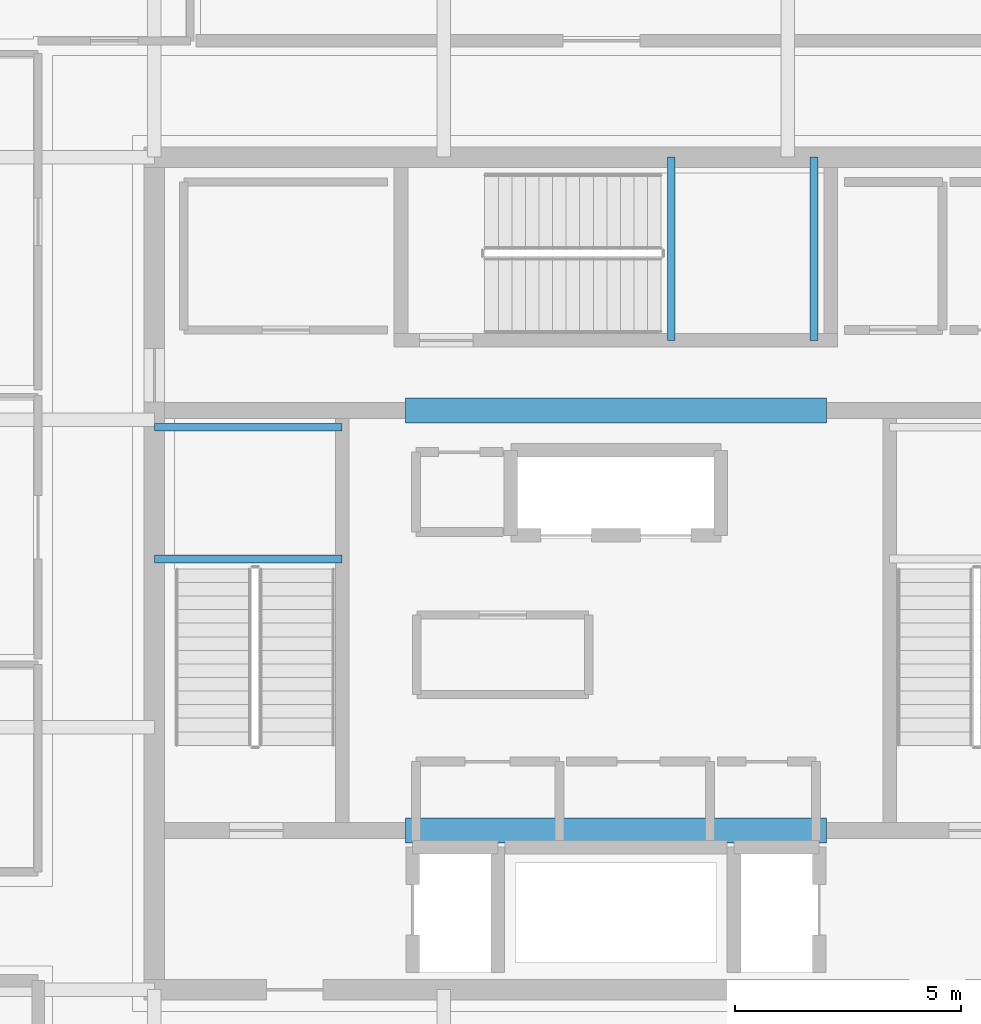
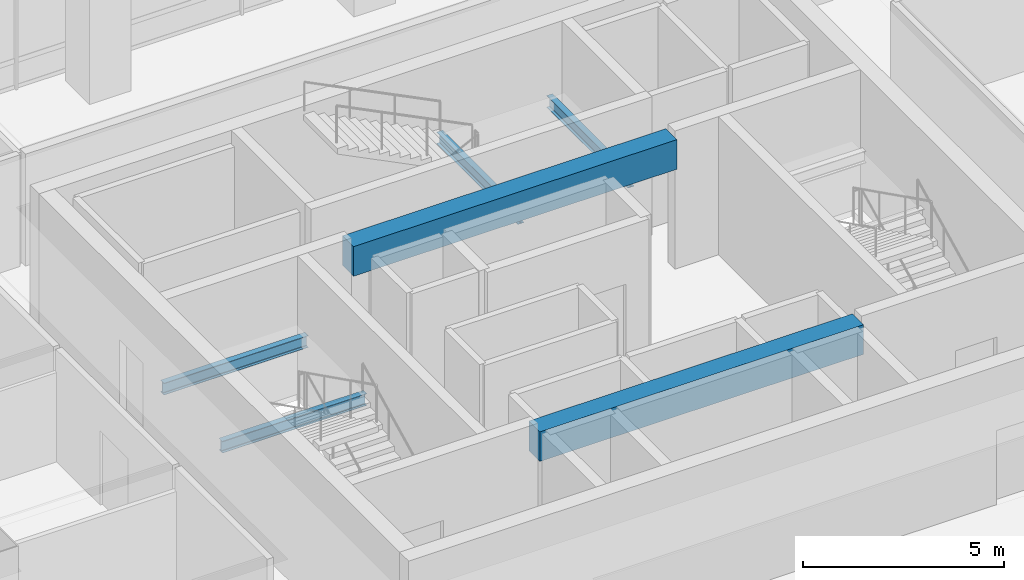
# One storey, part 15 of 42: 6 beams.
"""IFC4 building model written with IfcOpenShell, lengths in metres."""

from ifc_helpers import new_model, si_unit, direction, frame, origin, origin_2d, place, context, subcontext, project, spatial, rectangle, i_section, extrude, material, material_profile, profile_set, type_object, element, save


model = new_model("IFC4")

# Units and contexts
model_context = context("Model", 3, precision=1e-05, world=origin(), true_north=direction((0.0, 1.0)))
body_context = subcontext(model_context, "Body", "Model", "MODEL_VIEW")
ifc_project = project(units=[si_unit("LENGTHUNIT", "METRE"), si_unit("AREAUNIT", "SQUARE_METRE"), si_unit("VOLUMEUNIT", "CUBIC_METRE"), si_unit("PLANEANGLEUNIT", "RADIAN"), si_unit("MASSUNIT", "GRAM", prefix="KILO")], contexts=[model_context])

# Site, building, storey
site_placement = place(None, origin())
site = spatial("IfcSite", under=ifc_project, at=site_placement, CompositionType="ELEMENT")
building_placement = place(site_placement, origin())
building = spatial("IfcBuilding", under=site, at=building_placement, Name="Punatoya Terracotta Tower", CompositionType="ELEMENT")
storey_placement = place(building_placement, frame((0.0, 0.0, 325.800048828125)))
storey = spatial("IfcBuildingStorey", under=building, at=storey_placement, Name="L77", CompositionType="ELEMENT", Elevation=325.800048828125)

# Beams
ifc_material_1 = material(Name="Concrete C50/60", Category="concrete")
ifc_material_profile_1 = material_profile(ifc_material_1, rectangle(XDim=0.550048828125, YDim=0.89990234375, at=origin_2d()))
ifc_profile_set_1 = profile_set([ifc_material_profile_1], Name="Concrete C50/60")
beam_type_1 = type_object("IfcBeamType", Name="BM-RC-900", PredefinedType="LINTEL", material=ifc_profile_set_1)
for number, where, z_axis, x_axis, name in (
    (1, (-4.64990234375, -5.679931640625, 3.550048828125), (1.0, 0.0, 0.0), (0.0, 1.0, 0.0), "L77 Core Coupling Lintel CSW"),
    (2, (-4.64990234375, 3.60009765625, 3.550048828125), (1.0, 0.0, 0.0), (0.0, 1.0, 0.0), "L77 Core Coupling Lintel CNW"),
):
    element("IfcBeam", number, at=place(storey_placement, frame(where, z_axis=z_axis, x_axis=x_axis)), inside=storey, type_object=beam_type_1, Name=name, PredefinedType="LINTEL", context=body_context, shape_type="SweptSolid", body=[
        extrude(rectangle(XDim=0.550048828125, YDim=0.89990234375, at=origin_2d()), origin(), (0.0, 0.0, 1.0), 9.2998046875),
    ])
ifc_material_2 = material(Name="Steel S355", Category="steel")
ifc_material_profile_2 = material_profile(ifc_material_2, i_section(OverallWidth=0.169921875, OverallDepth=0.360107421875, WebThickness=0.008056640625, FlangeThickness=0.0126953125, FilletRadius=0.01806640625, at=origin_2d()))
ifc_profile_set_2 = profile_set([ifc_material_profile_2], Name="Steel S355")
beam_type_2 = type_object("IfcBeamType", Name="BM-SEC-360", PredefinedType="JOIST", material=ifc_profile_set_2)
for number, where, z_axis, x_axis, name in (
    (3, (-10.199951171875, 0.320068359375, 1.719970703125), (1.0, 0.0, 0.0), (0.0, 1.0, 0.0), "BM-L77-ST-1-LD1A"),
    (4, (-10.199951171875, 3.22998046875, 1.719970703125), (1.0, 0.0, 0.0), (0.0, 1.0, 0.0), "BM-L77-ST-1-LD1B"),
):
    element("IfcBeam", number, at=place(storey_placement, frame(where, z_axis=z_axis, x_axis=x_axis)), inside=storey, type_object=beam_type_2, Name=name, PredefinedType="JOIST", context=body_context, shape_type="SweptSolid", body=[
        extrude(i_section(OverallWidth=0.169921875, OverallDepth=0.360107421875, WebThickness=0.008056640625, FlangeThickness=0.0126953125, FilletRadius=0.01806640625, at=origin_2d()), origin(), (0.0, 0.0, 1.0), 4.14990234375),
    ])
for number, where, z_axis, x_axis, name in (
    (5, (1.219970703125, 5.14990234375, 1.719970703125), (0.0, 1.0, 0.0), (-1.0, 0.0, 0.0), "BM-L77-ST-3-LD1A"),
    (6, (4.3798828125, 5.14990234375, 1.719970703125), (0.0, 1.0, 0.0), (-1.0, 0.0, 0.0), "BM-L77-ST-3-LD1B"),
):
    element("IfcBeam", number, at=place(storey_placement, frame(where, z_axis=z_axis, x_axis=x_axis)), inside=storey, type_object=beam_type_2, Name=name, PredefinedType="JOIST", context=body_context, shape_type="SweptSolid", body=[
        extrude(i_section(OverallWidth=0.169921875, OverallDepth=0.360107421875, WebThickness=0.008056640625, FlangeThickness=0.0126953125, FilletRadius=0.01806640625, at=origin_2d()), origin(), (0.0, 0.0, 1.0), 4.050048828125),
    ])

save(model, "model.ifc")
